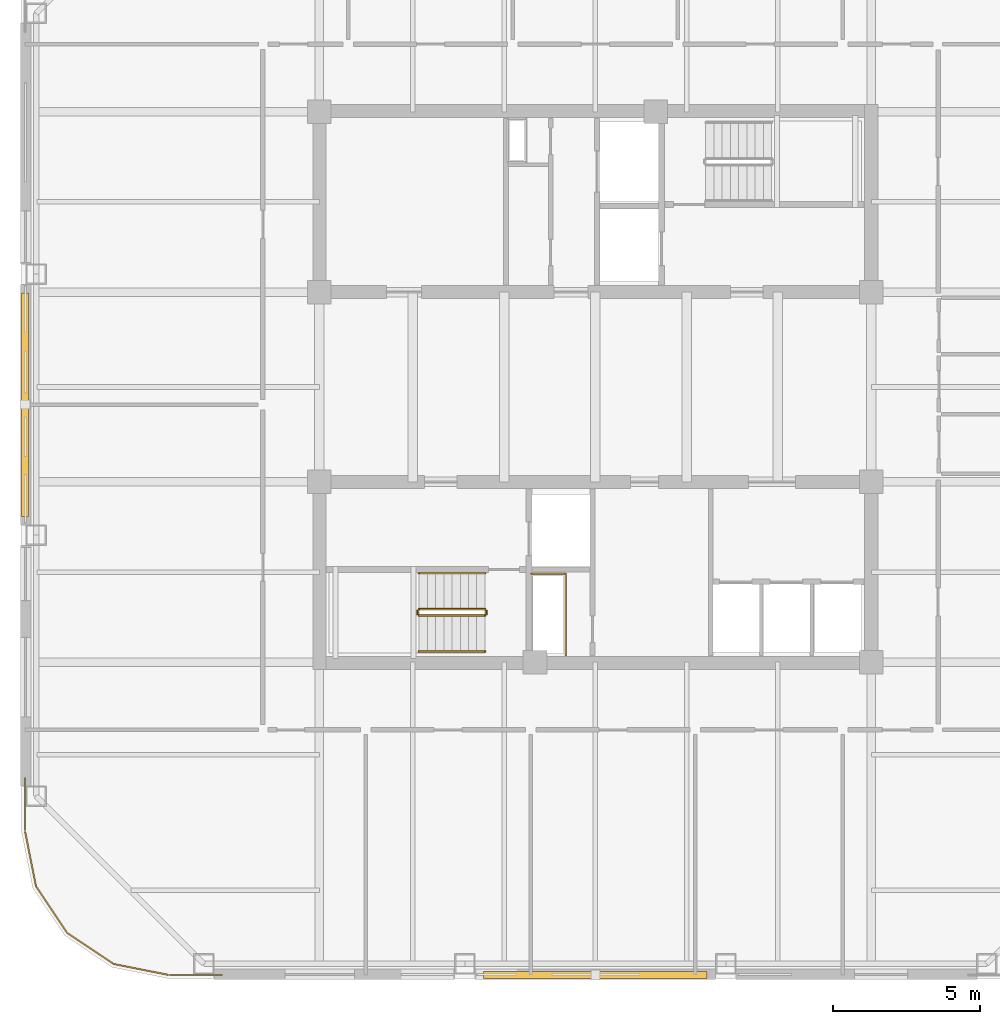
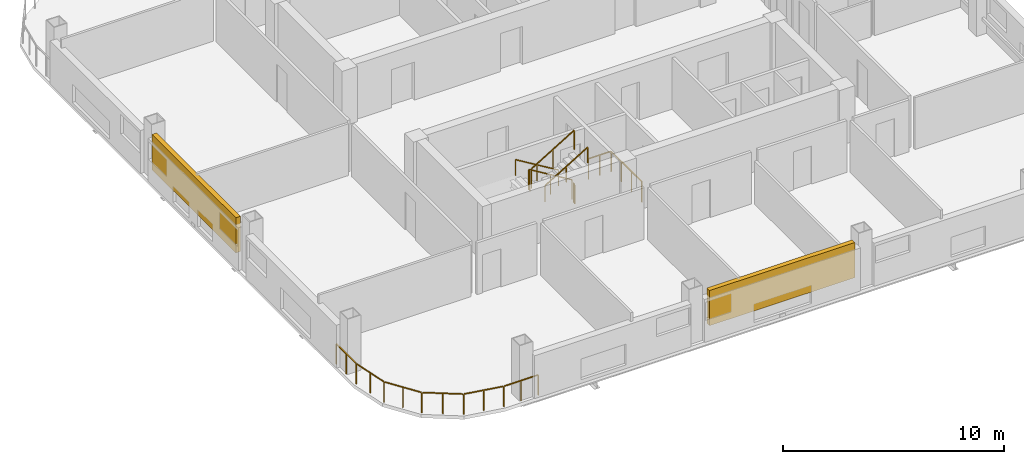
# One storey, part 6 of 8: 8 railings, 2 shading devices.
"""IFC4 building model written with IfcOpenShell, lengths in metres."""

from ifc_helpers import new_model, si_unit, direction, frame, origin, origin_2d, place, context, subcontext, project, spatial, rectangle, extrude, material, type_object, element, save


model = new_model("IFC4")

# Units and contexts
model_context = context("Model", 3, precision=1e-05, world=origin(), true_north=direction((0.0, 1.0)))
body_context = subcontext(model_context, "Body", "Model", "MODEL_VIEW")
ifc_project = project(units=[si_unit("LENGTHUNIT", "METRE"), si_unit("AREAUNIT", "SQUARE_METRE"), si_unit("VOLUMEUNIT", "CUBIC_METRE"), si_unit("PLANEANGLEUNIT", "RADIAN"), si_unit("MASSUNIT", "GRAM", prefix="KILO")], contexts=[model_context])

# Site, building, storey
site_placement = place(None, origin())
site = spatial("IfcSite", under=ifc_project, at=site_placement, CompositionType="ELEMENT")
building_placement = place(site_placement, origin())
building = spatial("IfcBuilding", under=site, at=building_placement, Name="Qhalaya Broadcast Tower", CompositionType="ELEMENT")
storey_placement = place(building_placement, frame((0.0, 0.0, 208.64990234375)))
storey = spatial("IfcBuildingStorey", under=building, at=storey_placement, Name="L61", CompositionType="ELEMENT", Elevation=208.64990234375)

# Railings
ifc_material_1 = material(Name="Powder-Coated Galvanised Steel", Category="steel")
railing_type_1 = type_object("IfcRailingType", Name="Stair Wall Handrail 900", PredefinedType="HANDRAIL", material=ifc_material_1)
railing_1_placement = place(storey_placement, frame((-3.75, -5.72998046875, 0.16943359375)))
element("IfcRailing", 1, at=railing_1_placement, inside=storey, type_object=railing_type_1, Name="L61 ST-2 Stair Handrail 1", PredefinedType="HANDRAIL", context=body_context, shape_type="SweptSolid", body=[
    extrude(rectangle(XDim=0.048095703125, YDim=0.048095703125, at=origin_2d()), frame((0.0, 0.0, 0.8759765625), z_axis=(-0.855512035549, 0.0, 0.517782924622), x_axis=(0.0, -1.0, 0.0)), (0.0, 0.0, 1.0), 2.618408203125),
    extrude(rectangle(XDim=0.0419921875, YDim=0.0419921875, at=origin_2d()), origin(), (0.0, 0.0, 1.0), 0.849853515625),
    extrude(rectangle(XDim=0.0419921875, YDim=0.0419921875, at=origin_2d()), frame((-1.1201171875, 0.0, 0.677734375)), (0.0, 0.0, 1.0), 0.849853515625),
    extrude(rectangle(XDim=0.0419921875, YDim=0.0419921875, at=origin_2d()), frame((-2.239990234375, 0.0, 1.355712890625)), (0.0, 0.0, 1.0), 0.849853515625),
])
railing_2_placement = place(storey_placement, frame((-5.989990234375, -8.389892578125, 1.694580078125)))
element("IfcRailing", 2, at=railing_2_placement, inside=storey, type_object=railing_type_1, Name="L61 ST-2 Stair Handrail 2", PredefinedType="HANDRAIL", context=body_context, shape_type="SweptSolid", body=[
    extrude(rectangle(XDim=0.048095703125, YDim=0.048095703125, at=origin_2d()), frame((0.0, 0.0, 0.8759765625), z_axis=(0.855553338991, 0.0, 0.51771467445), x_axis=(0.0, 1.0, 0.0)), (0.0, 0.0, 1.0), 2.6181640625),
    extrude(rectangle(XDim=0.0419921875, YDim=0.0419921875, at=origin_2d()), origin(), (0.0, 0.0, 1.0), 0.849853515625),
    extrude(rectangle(XDim=0.0419921875, YDim=0.0419921875, at=origin_2d()), frame((1.1201171875, 0.0, 0.677734375)), (0.0, 0.0, 1.0), 0.849853515625),
    extrude(rectangle(XDim=0.0419921875, YDim=0.0419921875, at=origin_2d()), frame((2.239990234375, 0.0, 1.35546875)), (0.0, 0.0, 1.0), 0.849853515625),
])
railing_type_2 = type_object("IfcRailingType", Name="Stair Well & Landing Guardrail 1100", PredefinedType="GUARDRAIL", material=ifc_material_1)
railing_3_placement = place(storey_placement, frame((-1.0, -8.52001953125, 0.0)))
element("IfcRailing", 3, at=railing_3_placement, inside=storey, type_object=railing_type_2, Name="L61 Service Riser Opening Safety Guard SRSR", PredefinedType="GUARDRAIL", context=body_context, shape_type="SweptSolid", body=[
    extrude(rectangle(XDim=0.048095703125, YDim=0.048095703125, at=origin_2d()), frame((0.0, 0.0, 1.1259765625), z_axis=(0.0, 1.0, 0.0), x_axis=(-1.0, 0.0, 0.0)), (0.0, 0.0, 1.0), 2.751220703125),
    extrude(rectangle(XDim=0.048095703125, YDim=0.048095703125, at=origin_2d()), frame((-0.02880859375, 2.780029296875, 1.1259765625), z_axis=(-1.0, 0.0, 0.0), x_axis=(0.0, -1.0, 0.0)), (0.0, 0.0, 1.0), 1.151123046875),
    extrude(rectangle(XDim=0.0419921875, YDim=0.0419921875, at=origin_2d()), origin(), (0.0, 0.0, 1.0), 1.099853515625),
    extrude(rectangle(XDim=0.0419921875, YDim=0.0419921875, at=origin_2d()), frame((0.0, 0.9267578125, 0.0)), (0.0, 0.0, 1.0), 1.099853515625),
    extrude(rectangle(XDim=0.0419921875, YDim=0.0419921875, at=origin_2d()), frame((0.0, 1.853271484375, 0.0)), (0.0, 0.0, 1.0), 1.099853515625),
    extrude(rectangle(XDim=0.0419921875, YDim=0.0419921875, at=origin_2d()), frame((0.0, 2.780029296875, 0.0)), (0.0, 0.0, 1.0), 1.099853515625),
    extrude(rectangle(XDim=0.0419921875, YDim=0.0419921875, at=origin_2d()), frame((-0.58984375, 2.780029296875, 0.0)), (0.0, 0.0, 1.0), 1.099853515625),
    extrude(rectangle(XDim=0.0419921875, YDim=0.0419921875, at=origin_2d()), frame((-1.179931640625, 2.780029296875, 0.0)), (0.0, 0.0, 1.0), 1.099853515625),
])
railing_4_placement = place(storey_placement, frame((-3.75, -6.949951171875, 0.16943359375)))
element("IfcRailing", 4, at=railing_4_placement, inside=storey, type_object=railing_type_2, Name="L61 ST-2 Stair Guard 1", PredefinedType="GUARDRAIL", context=body_context, shape_type="SweptSolid", body=[
    extrude(rectangle(XDim=0.048095703125, YDim=0.048095703125, at=origin_2d()), frame((0.0, 0.0, 1.076171875), z_axis=(-0.855512035549, 0.0, 0.517782924622), x_axis=(0.0, -1.0, 0.0)), (0.0, 0.0, 1.0), 2.618408203125),
    extrude(rectangle(XDim=0.0419921875, YDim=0.0419921875, at=origin_2d()), origin(), (0.0, 0.0, 1.0), 1.050048828125),
    extrude(rectangle(XDim=0.0419921875, YDim=0.0419921875, at=origin_2d()), frame((-1.1201171875, 0.0, 0.677734375)), (0.0, 0.0, 1.0), 1.050048828125),
    extrude(rectangle(XDim=0.0419921875, YDim=0.0419921875, at=origin_2d()), frame((-2.239990234375, 0.0, 1.355712890625)), (0.0, 0.0, 1.0), 1.050048828125),
])
railing_5_placement = place(storey_placement, frame((-6.0400390625, -7.0, 1.525146484375)))
element("IfcRailing", 5, at=railing_5_placement, inside=storey, type_object=railing_type_2, Name="L61 ST-2 Stair Guard 2", PredefinedType="GUARDRAIL", context=body_context, shape_type="SweptSolid", body=[
    extrude(rectangle(XDim=0.048095703125, YDim=0.048095703125, at=origin_2d()), frame((0.0, 0.0, 1.076171875), z_axis=(0.0, -1.0, 0.0), x_axis=(1.0, 0.0, 0.0)), (0.0, 0.0, 1.0), 0.1201171875),
    extrude(rectangle(XDim=0.0419921875, YDim=0.0419921875, at=origin_2d()), origin(), (0.0, 0.0, 1.0), 1.050048828125),
    extrude(rectangle(XDim=0.0419921875, YDim=0.0419921875, at=origin_2d()), frame((0.0, -0.1201171875, 0.0)), (0.0, 0.0, 1.0), 1.050048828125),
])
railing_6_placement = place(storey_placement, frame((-5.989990234375, -7.169921875, 1.694580078125)))
element("IfcRailing", 6, at=railing_6_placement, inside=storey, type_object=railing_type_2, Name="L61 ST-2 Stair Guard 3", PredefinedType="GUARDRAIL", context=body_context, shape_type="SweptSolid", body=[
    extrude(rectangle(XDim=0.048095703125, YDim=0.048095703125, at=origin_2d()), frame((0.0, 0.0, 1.076171875), z_axis=(0.855553338991, 0.0, 0.51771467445), x_axis=(0.0, 1.0, 0.0)), (0.0, 0.0, 1.0), 2.6181640625),
    extrude(rectangle(XDim=0.0419921875, YDim=0.0419921875, at=origin_2d()), origin(), (0.0, 0.0, 1.0), 1.050048828125),
    extrude(rectangle(XDim=0.0419921875, YDim=0.0419921875, at=origin_2d()), frame((1.1201171875, 0.0, 0.677734375)), (0.0, 0.0, 1.0), 1.050048828125),
    extrude(rectangle(XDim=0.0419921875, YDim=0.0419921875, at=origin_2d()), frame((2.239990234375, 0.0, 1.35546875)), (0.0, 0.0, 1.0), 1.050048828125),
])
railing_7_placement = place(storey_placement, frame((-3.699951171875, -7.0, 0.0)))
element("IfcRailing", 7, at=railing_7_placement, inside=storey, type_object=railing_type_2, Name="L61 ST-2 Stair Guard 4", PredefinedType="GUARDRAIL", context=body_context, shape_type="SweptSolid", body=[
    extrude(rectangle(XDim=0.048095703125, YDim=0.048095703125, at=origin_2d()), frame((0.0, 0.0, 1.076171875), z_axis=(0.0, -1.0, 0.0), x_axis=(1.0, 0.0, 0.0)), (0.0, 0.0, 1.0), 0.1201171875),
    extrude(rectangle(XDim=0.0419921875, YDim=0.0419921875, at=origin_2d()), origin(), (0.0, 0.0, 1.0), 1.050048828125),
    extrude(rectangle(XDim=0.0419921875, YDim=0.0419921875, at=origin_2d()), frame((0.0, -0.1201171875, 0.0)), (0.0, 0.0, 1.0), 1.050048828125),
])
railing_type_3 = type_object("IfcRailingType", Name="Terrace, Sky-Pool & Lookout Glass Balustrade 1150", PredefinedType="BALUSTRADE", material=ifc_material_1)
railing_8_placement = place(storey_placement, frame((-12.681884765625, -19.3798828125, 0.0)))
element("IfcRailing", 8, at=railing_8_placement, inside=storey, type_object=railing_type_3, Name="L61 Rounded Corner Perimeter Guard 02", PredefinedType="BALUSTRADE", context=body_context, shape_type="SweptSolid", body=[
    extrude(rectangle(XDim=0.048095703125, YDim=0.048095703125, at=origin_2d()), frame((0.0, 0.0, 1.1259765625), z_axis=(-1.0, 0.0, 0.0), x_axis=(0.0, -1.0, 0.0)), (0.0, 0.0, 1.0), 1.777587890625),
    extrude(rectangle(XDim=0.048095703125, YDim=0.048095703125, at=origin_2d()), frame((-1.834716796875, 0.005615234375, 1.1259765625), z_axis=(-0.980795810058, 0.195037378397, 0.0), x_axis=(-0.195037378397, -0.980795810058, 0.0)), (0.0, 0.0, 1.0), 1.857421875),
    extrude(rectangle(XDim=0.048095703125, YDim=0.048095703125, at=origin_2d()), frame((-3.708740234375, 0.3896484375, 1.1259765625), z_axis=(-0.831437950597, 0.555617615188, 0.0), x_axis=(-0.555617615188, -0.831437950597, 0.0)), (0.0, 0.0, 1.0), 1.845458984375),
    extrude(rectangle(XDim=0.048095703125, YDim=0.048095703125, at=origin_2d()), frame((-5.283203125, 1.454833984375, 1.1259765625), z_axis=(-0.555617615188, 0.831437950597, 0.0), x_axis=(-0.831437950597, -0.555617615188, 0.0)), (0.0, 0.0, 1.0), 1.845458984375),
    extrude(rectangle(XDim=0.048095703125, YDim=0.048095703125, at=origin_2d()), frame((-6.330078125, 3.04150390625, 1.1259765625), z_axis=(-0.195037378397, 0.980795810058, 0.0), x_axis=(-0.980795810058, -0.195037378397, 0.0)), (0.0, 0.0, 1.0), 1.857421875),
    extrude(rectangle(XDim=0.048095703125, YDim=0.048095703125, at=origin_2d()), frame((-6.697998046875, 4.92041015625, 1.1259765625), z_axis=(0.0, 1.0, 0.0), x_axis=(-1.0, 0.0, 0.0)), (0.0, 0.0, 1.0), 1.777587890625),
    extrude(rectangle(XDim=0.0419921875, YDim=0.0419921875, at=origin_2d()), origin(), (0.0, 0.0, 1.0), 1.099853515625),
    extrude(rectangle(XDim=0.0419921875, YDim=0.0419921875, at=origin_2d()), frame((-0.9033203125, 0.0, 0.0)), (0.0, 0.0, 1.0), 1.099853515625),
    extrude(rectangle(XDim=0.0419921875, YDim=0.0419921875, at=origin_2d()), frame((-1.806396484375, 0.0, 0.0)), (0.0, 0.0, 1.0), 1.099853515625),
    extrude(rectangle(XDim=0.0419921875, YDim=0.0419921875, at=origin_2d()), frame((-2.74560546875, 0.186767578125, 0.0)), (0.0, 0.0, 1.0), 1.099853515625),
    extrude(rectangle(XDim=0.0419921875, YDim=0.0419921875, at=origin_2d()), frame((-3.684814453125, 0.37353515625, 0.0)), (0.0, 0.0, 1.0), 1.099853515625),
    extrude(rectangle(XDim=0.0419921875, YDim=0.0419921875, at=origin_2d()), frame((-4.47607421875, 0.90234375, 0.0)), (0.0, 0.0, 1.0), 1.099853515625),
    extrude(rectangle(XDim=0.0419921875, YDim=0.0419921875, at=origin_2d()), frame((-5.26708984375, 1.430908203125, 0.0)), (0.0, 0.0, 1.0), 1.099853515625),
    extrude(rectangle(XDim=0.0419921875, YDim=0.0419921875, at=origin_2d()), frame((-5.7958984375, 2.22216796875, 0.0)), (0.0, 0.0, 1.0), 1.099853515625),
    extrude(rectangle(XDim=0.0419921875, YDim=0.0419921875, at=origin_2d()), frame((-6.324462890625, 3.01318359375, 0.0)), (0.0, 0.0, 1.0), 1.099853515625),
    extrude(rectangle(XDim=0.0419921875, YDim=0.0419921875, at=origin_2d()), frame((-6.51123046875, 3.952392578125, 0.0)), (0.0, 0.0, 1.0), 1.099853515625),
    extrude(rectangle(XDim=0.0419921875, YDim=0.0419921875, at=origin_2d()), frame((-6.697998046875, 4.8916015625, 0.0)), (0.0, 0.0, 1.0), 1.099853515625),
    extrude(rectangle(XDim=0.0419921875, YDim=0.0419921875, at=origin_2d()), frame((-6.697998046875, 5.794921875, 0.0)), (0.0, 0.0, 1.0), 1.099853515625),
    extrude(rectangle(XDim=0.0419921875, YDim=0.0419921875, at=origin_2d()), frame((-6.697998046875, 6.697998046875, 0.0)), (0.0, 0.0, 1.0), 1.099853515625),
])

# Shading devices
ifc_material_2 = material(Name="Fired Architectural Terracotta", Category="masonry")
shading_device_type = type_object("IfcShadingDeviceType", Name="Terracotta Baguette Solar Screen Assembly TBS-01", PredefinedType="USERDEFINED", material=ifc_material_2)
for number, where, z_axis, x_axis, name in (
    (9, (0.0, -19.3798828125, 0.80078125), (0.0, 0.0, 1.0), (1.0, 0.0, 0.0), "L61 Fired Terracotta Baguette Screen S"),
    (10, (-19.3798828125, 0.0, 0.80078125), (0.0, 0.0, 1.0), (0.0, -1.0, 0.0), "L61 Fired Terracotta Baguette Screen W"),
):
    element("IfcShadingDevice", number, at=place(storey_placement, frame(where, z_axis=z_axis, x_axis=x_axis)), inside=storey, type_object=shading_device_type, Name=name, ObjectType="BAGUETTE", PredefinedType="USERDEFINED", context=body_context, shape_type="SweptSolid", body=[
        extrude(rectangle(XDim=7.60009765625, YDim=0.239990234375, at=origin_2d()), origin(), (0.0, 0.0, 1.0), 1.945068359375),
    ])

save(model, "model.ifc")
